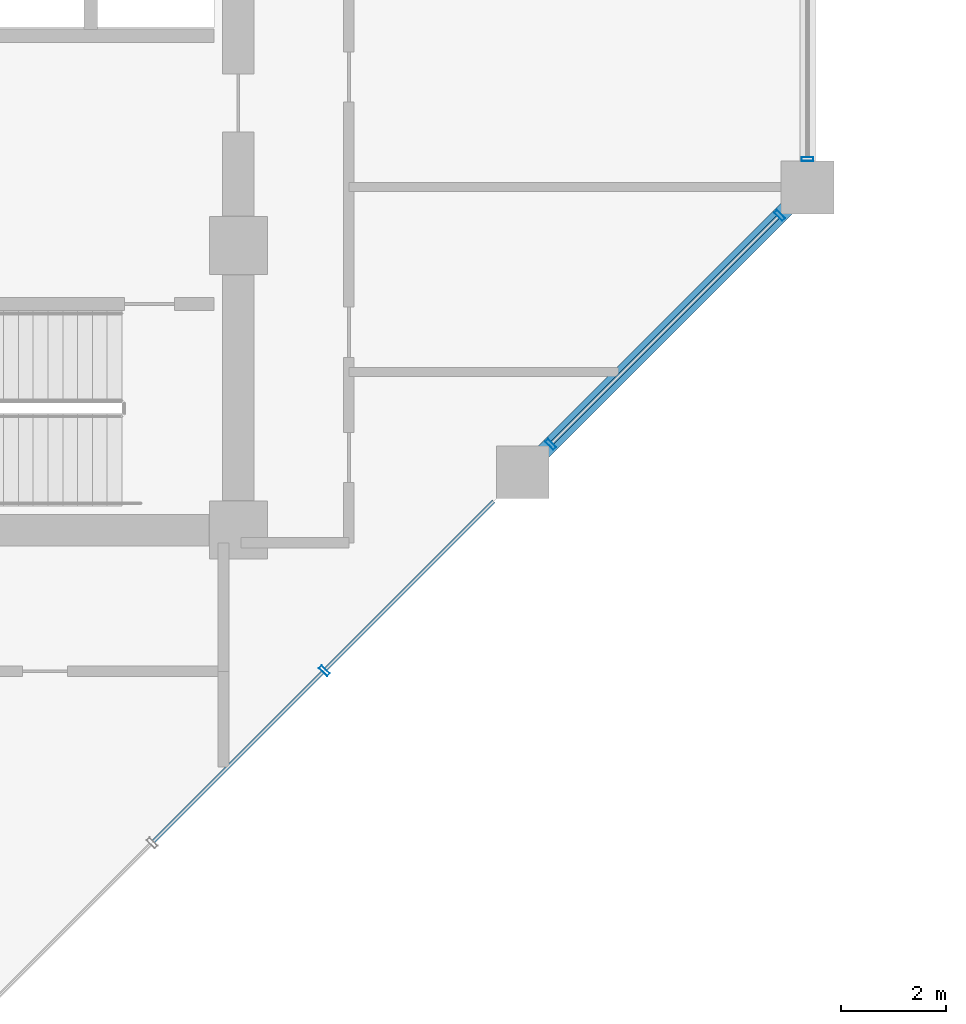
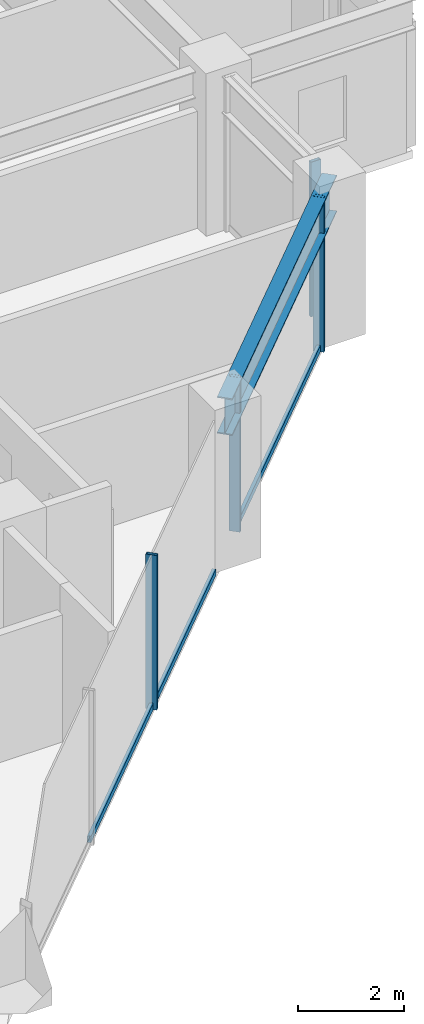
# One storey, part 8 of 26: 7 members, 1 beam, 2 elements without a shape of their own.
"""IFC4 building model written with IfcOpenShell, lengths in metres."""

from ifc_helpers import new_model, si_unit, direction, frame, origin, origin_2d, place, context, subcontext, project, spatial, hollow_rectangle, i_section, extrude, material, layer, layer_set, material_profile, profile_set, type_object, element, aggregate, save


model = new_model("IFC4")

# Units and contexts
model_context = context("Model", 3, precision=1e-05, world=origin(), true_north=direction((0.0, 1.0)))
body_context = subcontext(model_context, "Body", "Model", "MODEL_VIEW")
ifc_project = project(units=[si_unit("LENGTHUNIT", "METRE"), si_unit("AREAUNIT", "SQUARE_METRE"), si_unit("VOLUMEUNIT", "CUBIC_METRE"), si_unit("PLANEANGLEUNIT", "RADIAN"), si_unit("MASSUNIT", "GRAM", prefix="KILO")], contexts=[model_context])

# Site, building, storey
site_placement = place(None, origin())
site = spatial("IfcSite", under=ifc_project, at=site_placement, CompositionType="ELEMENT")
building_placement = place(site_placement, origin())
building = spatial("IfcBuilding", under=site, at=building_placement, Name="Surkhivell Harbour Commons", CompositionType="ELEMENT")
storey_placement = place(building_placement, frame((0.0, 0.0, 143.25)))
storey = spatial("IfcBuildingStorey", under=building, at=storey_placement, Name="L37", CompositionType="ELEMENT", Elevation=143.25)

# Beam
ifc_material_1 = material(Name="Steel S460", Category="steel")
ifc_material_profile_1 = material_profile(ifc_material_1, i_section(OverallWidth=0.2939453125, OverallDepth=0.85107421875, WebThickness=0.01611328125, FlangeThickness=0.02685546875, at=origin_2d()), Name="UB838x292x226")
ifc_profile_set_1 = profile_set([ifc_material_profile_1], Name="Steel S460")
beam_type = type_object("IfcBeamType", Name="BM-SPN-838", PredefinedType="SPANDREL", material=ifc_profile_set_1)
beam_placement = place(storey_placement, frame((16.199951171875, -9.699951171875, 3.14453125), z_axis=(0.707122765516, 0.707090796496, 0.0), x_axis=(-0.707090796496, 0.707122765516, 0.0)))
element("IfcBeam", 1, at=beam_placement, inside=storey, type_object=beam_type, Name="L37 Tube Spandrel (16.2,-9.7)", PredefinedType="SPANDREL", context=body_context, shape_type="SweptSolid", body=[
    extrude(i_section(OverallWidth=0.2939453125, OverallDepth=0.85107421875, WebThickness=0.01611328125, FlangeThickness=0.02685546875, at=origin_2d()), origin(), (0.0, 0.0, 1.0), 7.63671875),
])

# Curtain wall, members
ifc_material_2 = material(Name="Anodised pale-metal aluminium and insulated glazing", Category="aluminium")
ifc_layer = layer(ifc_material_2, 0.205078125)
ifc_layer_set = layer_set([ifc_layer], Name="Anodised pale-metal aluminium and insulated glazing")
curtain_wall_type = type_object("IfcCurtainWallType", Name="CW-SYS-Z2", PredefinedType="NOTDEFINED", material=ifc_layer_set)
curtain_wall_1_placement = place(storey_placement, origin())
curtain_wall_1 = element("IfcCurtainWall", 2, at=curtain_wall_1_placement, inside=storey, type_object=curtain_wall_type, Name="L37 Curtain Wall CW-L37-E01", PredefinedType="NOTDEFINED")
ifc_material_3 = material(Name="Anodised pale-metal aluminium alloy 6063-T6", Category="aluminium")
ifc_material_profile_2 = material_profile(ifc_material_3, hollow_rectangle(XDim=0.074951171875, YDim=0.219970703125, WallThickness=0.00390625, at=origin_2d()), Name="ALU-MULL-75x220")
ifc_profile_set_2 = profile_set([ifc_material_profile_2], Name="Anodised pale-metal aluminium alloy 6063-T6")
member_type_1 = type_object("IfcMemberType", Name="CWM-220", PredefinedType="MULLION", material=ifc_profile_set_2)
member_1_placement = place(storey_placement, frame((12.432861328125, -13.46728515625, 0.0), z_axis=(0.0, 0.0, 1.0), x_axis=(0.707106781187, 0.707106781187, 0.0)))
member_1 = element("IfcMember", 3, at=member_1_placement, type_object=member_type_1, Name="CW-Z2 mullion 4", PredefinedType="MULLION", context=body_context, shape_type="SweptSolid", body=[
    extrude(hollow_rectangle(XDim=0.074951171875, YDim=0.219970703125, WallThickness=0.00390625, at=origin_2d()), origin(), (0.0, 0.0, 1.0), 3.570068359375),
])
member_2_placement = place(storey_placement, frame((16.728271484375, -9.171875, 0.0), z_axis=(0.0, 0.0, 1.0), x_axis=(0.707106781187, 0.707106781187, 0.0)))
member_2 = element("IfcMember", 4, at=member_2_placement, type_object=member_type_1, Name="CW-Z2 mullion 5", PredefinedType="MULLION", context=body_context, shape_type="SweptSolid", body=[
    extrude(hollow_rectangle(XDim=0.074951171875, YDim=0.219970703125, WallThickness=0.00390625, at=origin_2d()), origin(), (0.0, 0.0, 1.0), 3.570068359375),
])
member_3_placement = place(storey_placement, frame((21.07177734375, -4.828125, 0.0), z_axis=(0.0, 0.0, 1.0), x_axis=(0.707106781187, 0.707106781187, 0.0)))
member_3 = element("IfcMember", 5, at=member_3_placement, type_object=member_type_1, Name="CW-Z2 mullion 6", PredefinedType="MULLION", context=body_context, shape_type="SweptSolid", body=[
    extrude(hollow_rectangle(XDim=0.074951171875, YDim=0.219970703125, WallThickness=0.00390625, at=origin_2d()), origin(), (0.0, 0.0, 1.0), 3.570068359375),
])

# Curtain wall, member
curtain_wall_2_placement = place(storey_placement, origin())
curtain_wall_2 = element("IfcCurtainWall", 6, at=curtain_wall_2_placement, inside=storey, type_object=curtain_wall_type, Name="L37 Curtain Wall CW-L37-E02R1", PredefinedType="NOTDEFINED")
member_4_placement = place(storey_placement, frame((21.60009765625, -3.760498046875, 0.0), z_axis=(0.0, 0.0, 1.0), x_axis=(0.0, 1.0, 0.0)))
member_4 = element("IfcMember", 7, at=member_4_placement, type_object=member_type_1, Name="CW-Z2 mullion 1", PredefinedType="MULLION", context=body_context, shape_type="SweptSolid", body=[
    extrude(hollow_rectangle(XDim=0.074951171875, YDim=0.219970703125, WallThickness=0.00390625, at=origin_2d()), origin(), (0.0, 0.0, 1.0), 3.570068359375),
])
aggregate(curtain_wall_2, [member_4])

# Member
ifc_material_profile_3 = material_profile(ifc_material_3, hollow_rectangle(XDim=0.074951171875, YDim=0.14990234375, WallThickness=0.00341796875, at=origin_2d()), Name="ALU-TRAN-75x150")
ifc_profile_set_3 = profile_set([ifc_material_profile_3], Name="Anodised pale-metal aluminium alloy 6063-T6")
member_type_2 = type_object("IfcMemberType", Name="CWT-150", PredefinedType="USERDEFINED", material=ifc_profile_set_3)
member_5_placement = place(storey_placement, frame((9.19384765625, -16.706298828125, 0.074951171875), z_axis=(0.707079911854, 0.707133649498, 0.0), x_axis=(-0.707133649498, 0.707079911854, 0.0)))
member_5 = element("IfcMember", 8, at=member_5_placement, type_object=member_type_2, Name="CW-Z2 transom 3.1", ObjectType="TRANSOM", PredefinedType="USERDEFINED", context=body_context, shape_type="SweptSolid", body=[
    extrude(hollow_rectangle(XDim=0.074951171875, YDim=0.14990234375, WallThickness=0.00341796875, at=origin_2d()), origin(), (0.0, 0.0, 1.0), 4.543212890625),
])

member_6_placement = place(storey_placement, frame((12.459228515625, -13.440673828125, 0.074951171875), z_axis=(0.707106781187, 0.707106781187, 0.0), x_axis=(-0.707106781187, 0.707106781187, 0.0)))
member_6 = element("IfcMember", 9, at=member_6_placement, type_object=member_type_2, Name="CW-Z2 transom 4.1", ObjectType="TRANSOM", PredefinedType="USERDEFINED", context=body_context, shape_type="SweptSolid", body=[
    extrude(hollow_rectangle(XDim=0.074951171875, YDim=0.14990234375, WallThickness=0.00341796875, at=origin_2d()), origin(), (0.0, 0.0, 1.0), 4.505615234375),
])

member_7_placement = place(storey_placement, frame((16.754638671875, -9.145263671875, 0.074951171875), z_axis=(0.707106781187, 0.707106781187, 0.0), x_axis=(-0.707106781187, 0.707106781187, 0.0)))
member_7 = element("IfcMember", 10, at=member_7_placement, type_object=member_type_2, Name="CW-Z2 transom 5.1", ObjectType="TRANSOM", PredefinedType="USERDEFINED", context=body_context, shape_type="SweptSolid", body=[
    extrude(hollow_rectangle(XDim=0.074951171875, YDim=0.14990234375, WallThickness=0.00341796875, at=origin_2d()), origin(), (0.0, 0.0, 1.0), 6.067626953125),
])

aggregate(curtain_wall_1, [member_1, member_5, member_6, member_2, member_3, member_7])

save(model, "model.ifc")
